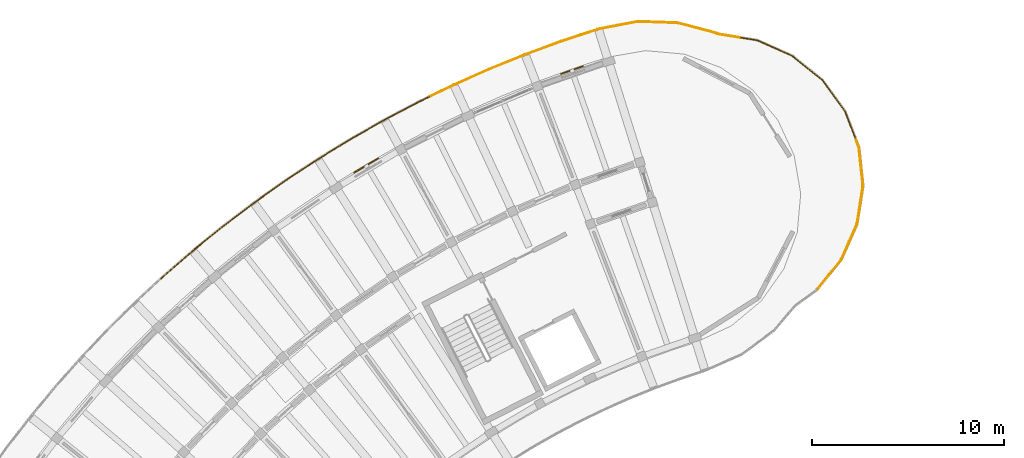
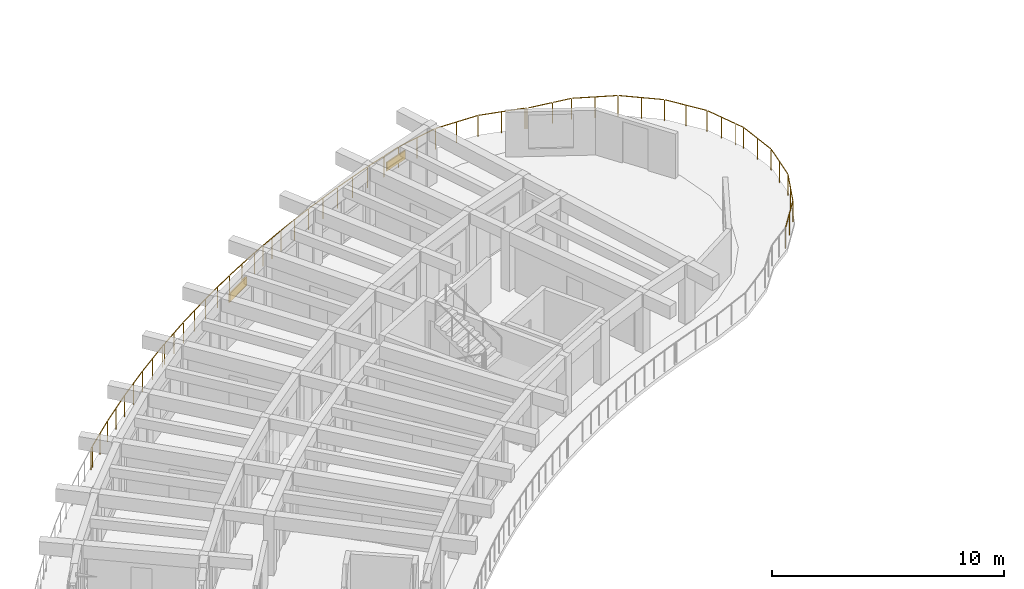
# One storey, part 18 of 19: 6 railings, 2 shading devices.
"""IFC4 building model written with IfcOpenShell, lengths in metres."""

from ifc_helpers import new_model, si_unit, direction, frame, origin, origin_2d, place, context, subcontext, project, spatial, rectangle, circle, extrude, material, layer, layer_set, type_object, element, save


model = new_model("IFC4")

# Units and contexts
model_context = context("Model", 3, precision=1e-05, world=origin(), true_north=direction((0.0, 1.0)))
body_context = subcontext(model_context, "Body", "Model", "MODEL_VIEW")
ifc_project = project(units=[si_unit("LENGTHUNIT", "METRE"), si_unit("AREAUNIT", "SQUARE_METRE"), si_unit("VOLUMEUNIT", "CUBIC_METRE"), si_unit("PLANEANGLEUNIT", "RADIAN"), si_unit("MASSUNIT", "GRAM", prefix="KILO")], contexts=[model_context])

# Site, building, storey
site_placement = place(None, origin())
site = spatial("IfcSite", under=ifc_project, at=site_placement, CompositionType="ELEMENT")
building_placement = place(site_placement, origin())
building = spatial("IfcBuilding", under=site, at=building_placement, Name="Tanwirah Colonnade Gardens", CompositionType="ELEMENT")
storey_placement = place(building_placement, frame((0.0, 0.0, 45.800048828125)))
storey = spatial("IfcBuildingStorey", under=building, at=storey_placement, Name="L13", CompositionType="ELEMENT", Elevation=45.800048828125)

# Railings
ifc_material_1 = material(Name="Precast concrete C40/50", Category="concrete")
railing_type = type_object("IfcRailingType", Name="BAL-EXT112", PredefinedType="BALUSTRADE", material=ifc_material_1)
railing_1_placement = place(storey_placement, frame((23.922607421875, 105.724365234375, 0.0)))
element("IfcRailing", 1, at=railing_1_placement, inside=storey, type_object=railing_type, Name="Block A L13 Balcony Ribbon Balustrade 12", PredefinedType="BALUSTRADE", context=body_context, shape_type="SweptSolid", body=[
    extrude(circle(Radius=0.02392578125, at=origin_2d()), frame((0.02294921875, 0.021240234375, 1.09619140625), z_axis=(0.733834307632, 0.67932849855, 0.0), x_axis=(-0.67932849855, 0.733834307632, 0.0)), (0.0, 0.0, 1.0), 0.12109375),
    extrude(circle(Radius=0.02392578125, at=origin_2d()), frame((0.158447265625, 0.145263671875, 1.09619140625), z_axis=(0.755338292497, 0.655335077565, 0.0), x_axis=(-0.655335077565, 0.755338292497, 0.0)), (0.0, 0.0, 1.0), 1.958984375),
    extrude(circle(Radius=0.02392578125, at=origin_2d()), frame((1.685791015625, 1.46923828125, 1.09619140625), z_axis=(0.776549722569, 0.630055972417, 0.0), x_axis=(-0.630055972417, 0.776549722569, 0.0)), (0.0, 0.0, 1.0), 1.958984375),
    extrude(circle(Radius=0.02392578125, at=origin_2d()), frame((3.25634765625, 2.741943359375, 1.09619140625), z_axis=(0.796887753746, 0.604127393792, 0.0), x_axis=(-0.604127393792, 0.796887753746, 0.0)), (0.0, 0.0, 1.0), 1.958984375),
    extrude(circle(Radius=0.02392578125, at=origin_2d()), frame((4.867919921875, 3.96240234375, 1.09619140625), z_axis=(0.816344803849, 0.577564854565, 0.0), x_axis=(-0.577564854565, 0.816344803849, 0.0)), (0.0, 0.0, 1.0), 1.958740234375),
    extrude(circle(Radius=0.02392578125, at=origin_2d()), frame((6.5185546875, 5.12890625, 1.09619140625), z_axis=(0.834969255805, 0.550296594447, 0.0), x_axis=(-0.550296594447, 0.834969255805, 0.0)), (0.0, 0.0, 1.0), 0.168212890625),
    extrude(circle(Radius=0.02099609375, at=origin_2d()), origin(), (0.0, 0.0, 1.0), 1.069091796875),
    extrude(circle(Radius=0.02099609375, at=origin_2d()), frame((0.134765625, 0.124755859375, 0.0)), (0.0, 0.0, 1.0), 1.069091796875),
    extrude(circle(Radius=0.02099609375, at=origin_2d()), frame((0.898193359375, 0.787109375, 0.0)), (0.0, 0.0, 1.0), 1.069091796875),
    extrude(circle(Radius=0.02099609375, at=origin_2d()), frame((1.66162109375, 1.449462890625, 0.0)), (0.0, 0.0, 1.0), 1.069091796875),
    extrude(circle(Radius=0.02099609375, at=origin_2d()), frame((2.446533203125, 2.08642578125, 0.0)), (0.0, 0.0, 1.0), 1.069091796875),
    extrude(circle(Radius=0.02099609375, at=origin_2d()), frame((3.2314453125, 2.72314453125, 0.0)), (0.0, 0.0, 1.0), 1.069091796875),
    extrude(circle(Radius=0.02099609375, at=origin_2d()), frame((4.036865234375, 3.333740234375, 0.0)), (0.0, 0.0, 1.0), 1.069091796875),
    extrude(circle(Radius=0.02099609375, at=origin_2d()), frame((4.84228515625, 3.9443359375, 0.0)), (0.0, 0.0, 1.0), 1.069091796875),
    extrude(circle(Radius=0.02099609375, at=origin_2d()), frame((5.66748046875, 4.528076171875, 0.0)), (0.0, 0.0, 1.0), 1.069091796875),
    extrude(circle(Radius=0.02099609375, at=origin_2d()), frame((6.492431640625, 5.11181640625, 0.0)), (0.0, 0.0, 1.0), 1.069091796875),
    extrude(circle(Radius=0.02099609375, at=origin_2d()), frame((6.68505859375, 5.23876953125, 0.0)), (0.0, 0.0, 1.0), 1.069091796875),
])
railing_2_placement = place(storey_placement, frame((30.607666015625, 110.963134765625, 0.0)))
element("IfcRailing", 2, at=railing_2_placement, inside=storey, type_object=railing_type, Name="Block A L13 Balcony Ribbon Balustrade 13", PredefinedType="BALUSTRADE", context=body_context, shape_type="SweptSolid", body=[
    extrude(circle(Radius=0.02392578125, at=origin_2d()), frame((0.026123046875, 0.01708984375, 1.09619140625), z_axis=(0.834953933885, 0.550319841811, 0.0), x_axis=(-0.550319841811, 0.834953933885, 0.0)), (0.0, 0.0, 1.0), 1.728515625),
    extrude(circle(Radius=0.02392578125, at=origin_2d()), frame((1.52197265625, 1.001953125, 1.09619140625), z_axis=(0.852660263329, 0.522465764754, 0.0), x_axis=(-0.522465764754, 0.852660263329, 0.0)), (0.0, 0.0, 1.0), 1.958984375),
    extrude(circle(Radius=0.02392578125, at=origin_2d()), frame((3.24609375, 2.05712890625, 1.09619140625), z_axis=(0.869392881113, 0.494121461049, 0.0), x_axis=(-0.494121461049, 0.869392881113, 0.0)), (0.0, 0.0, 1.0), 1.958740234375),
    extrude(circle(Radius=0.02392578125, at=origin_2d()), frame((5.00390625, 3.05517578125, 1.09619140625), z_axis=(0.885211446817, 0.465188880374, 0.0), x_axis=(-0.465188880374, 0.885211446817, 0.0)), (0.0, 0.0, 1.0), 1.958984375),
    extrude(circle(Radius=0.02392578125, at=origin_2d()), frame((6.7939453125, 3.99462890625, 1.09619140625), z_axis=(0.899962747664, 0.435966802425, 0.0), x_axis=(-0.435966802425, 0.899962747664, 0.0)), (0.0, 0.0, 1.0), 0.58203125),
    extrude(circle(Radius=0.02099609375, at=origin_2d()), origin(), (0.0, 0.0, 1.0), 1.069091796875),
    extrude(circle(Radius=0.02099609375, at=origin_2d()), frame((0.74755859375, 0.49267578125, 0.0)), (0.0, 0.0, 1.0), 1.069091796875),
    extrude(circle(Radius=0.02099609375, at=origin_2d()), frame((1.495361328125, 0.985595703125, 0.0)), (0.0, 0.0, 1.0), 1.069091796875),
    extrude(circle(Radius=0.02099609375, at=origin_2d()), frame((2.357177734375, 1.513671875, 0.0)), (0.0, 0.0, 1.0), 1.069091796875),
    extrude(circle(Radius=0.02099609375, at=origin_2d()), frame((3.218994140625, 2.041748046875, 0.0)), (0.0, 0.0, 1.0), 1.069091796875),
    extrude(circle(Radius=0.02099609375, at=origin_2d()), frame((4.09765625, 2.541015625, 0.0)), (0.0, 0.0, 1.0), 1.069091796875),
    extrude(circle(Radius=0.02099609375, at=origin_2d()), frame((4.976318359375, 3.04052734375, 0.0)), (0.0, 0.0, 1.0), 1.069091796875),
    extrude(circle(Radius=0.02099609375, at=origin_2d()), frame((5.87109375, 3.5107421875, 0.0)), (0.0, 0.0, 1.0), 1.069091796875),
    extrude(circle(Radius=0.02099609375, at=origin_2d()), frame((6.765869140625, 3.98095703125, 0.0)), (0.0, 0.0, 1.0), 1.069091796875),
    extrude(circle(Radius=0.02099609375, at=origin_2d()), frame((7.345947265625, 4.261962890625, 0.0)), (0.0, 0.0, 1.0), 1.069091796875),
])
railing_3_placement = place(storey_placement, frame((37.95361328125, 115.22509765625, 0.0)))
element("IfcRailing", 3, at=railing_3_placement, inside=storey, type_object=railing_type, Name="Block A L13 Balcony Ribbon Balustrade 14", PredefinedType="BALUSTRADE", context=body_context, shape_type="SweptSolid", body=[
    extrude(circle(Radius=0.02392578125, at=origin_2d()), frame((0.028076171875, 0.013671875, 1.09619140625), z_axis=(0.900098689272, 0.43568606768, 0.0), x_axis=(-0.43568606768, 0.900098689272, 0.0)), (0.0, 0.0, 1.0), 1.314208984375),
    extrude(circle(Radius=0.02392578125, at=origin_2d()), frame((1.267822265625, 0.612548828125, 1.09619140625), z_axis=(0.913950953394, 0.405824660156, 0.0), x_axis=(-0.405824660156, 0.913950953394, 0.0)), (0.0, 0.0, 1.0), 1.958740234375),
    extrude(circle(Radius=0.02392578125, at=origin_2d()), frame((3.11572265625, 1.431884765625, 1.09619140625), z_axis=(0.926784720453, 0.375592973757, 0.0), x_axis=(-0.375592973757, 0.926784720453, 0.0)), (0.0, 0.0, 1.0), 1.958984375),
    extrude(circle(Radius=0.02392578125, at=origin_2d()), frame((4.989501953125, 2.190185546875, 1.09619140625), z_axis=(0.938723993457, 0.344669789956, 0.0), x_axis=(-0.344669789956, 0.938723993457, 0.0)), (0.0, 0.0, 1.0), 1.958984375),
    extrude(circle(Radius=0.02392578125, at=origin_2d()), frame((6.8876953125, 2.885986328125, 1.09619140625), z_axis=(0.94955588548, 0.313597864073, 0.0), x_axis=(-0.313597864073, 0.94955588548, 0.0)), (0.0, 0.0, 1.0), 0.996337890625),
    extrude(circle(Radius=0.02099609375, at=origin_2d()), origin(), (0.0, 0.0, 1.0), 1.069091796875),
    extrude(circle(Radius=0.02099609375, at=origin_2d()), frame((0.61962890625, 0.2998046875, 0.0)), (0.0, 0.0, 1.0), 1.069091796875),
    extrude(circle(Radius=0.02099609375, at=origin_2d()), frame((1.2392578125, 0.599853515625, 0.0)), (0.0, 0.0, 1.0), 1.069091796875),
    extrude(circle(Radius=0.02099609375, at=origin_2d()), frame((2.1630859375, 1.010009765625, 0.0)), (0.0, 0.0, 1.0), 1.069091796875),
    extrude(circle(Radius=0.02099609375, at=origin_2d()), frame((3.086669921875, 1.420166015625, 0.0)), (0.0, 0.0, 1.0), 1.069091796875),
    extrude(circle(Radius=0.02099609375, at=origin_2d()), frame((4.0234375, 1.7998046875, 0.0)), (0.0, 0.0, 1.0), 1.069091796875),
    extrude(circle(Radius=0.02099609375, at=origin_2d()), frame((4.960205078125, 2.179443359375, 0.0)), (0.0, 0.0, 1.0), 1.069091796875),
    extrude(circle(Radius=0.02099609375, at=origin_2d()), frame((5.9091796875, 2.52783203125, 0.0)), (0.0, 0.0, 1.0), 1.069091796875),
    extrude(circle(Radius=0.02099609375, at=origin_2d()), frame((6.85791015625, 2.876220703125, 0.0)), (0.0, 0.0, 1.0), 1.069091796875),
    extrude(circle(Radius=0.02099609375, at=origin_2d()), frame((7.86328125, 3.208251953125, 0.0)), (0.0, 0.0, 1.0), 1.069091796875),
])
railing_4_placement = place(storey_placement, frame((45.81689453125, 118.433349609375, 0.0)))
element("IfcRailing", 4, at=railing_4_placement, inside=storey, type_object=railing_type, Name="Block A L13 Balcony Ribbon Balustrade 15", PredefinedType="BALUSTRADE", context=body_context, shape_type="SweptSolid", body=[
    extrude(circle(Radius=0.02392578125, at=origin_2d()), frame((0.02978515625, 0.009765625, 1.09619140625), z_axis=(0.949520232223, 0.313705799436, 0.0), x_axis=(-0.313705799436, 0.949520232223, 0.0)), (0.0, 0.0, 1.0), 0.896240234375),
    extrude(circle(Radius=0.02392578125, at=origin_2d()), frame((0.941162109375, 0.306640625, 1.09619140625), z_axis=(0.981943925546, 0.18917221541, 0.0), x_axis=(-0.18917221541, 0.981943925546, 0.0)), (0.0, 0.0, 1.0), 2.0283203125),
    extrude(circle(Radius=0.02392578125, at=origin_2d()), frame((2.99462890625, 0.6953125, 1.09619140625), z_axis=(0.99942036121, -0.034043231314, 0.0), x_axis=(0.034043231314, 0.99942036121, 0.0)), (0.0, 0.0, 1.0), 2.0244140625),
    extrude(circle(Radius=0.02392578125, at=origin_2d()), frame((5.079345703125, 0.6171875, 1.09619140625), z_axis=(0.966778387771, -0.255616018548, 0.0), x_axis=(0.255616018548, 0.966778387771, 0.0)), (0.0, 0.0, 1.0), 2.0244140625),
    extrude(circle(Radius=0.02392578125, at=origin_2d()), frame((7.09423828125, 0.077392578125, 1.09619140625), z_axis=(0.886158574219, -0.463382111586, 0.0), x_axis=(0.463382111586, 0.886158574219, 0.0)), (0.0, 0.0, 1.0), 0.039794921875),
    extrude(circle(Radius=0.02392578125, at=origin_2d()), frame((7.212646484375, 0.03125, 1.09619140625), z_axis=(0.987847295055, -0.155427544702, 0.0), x_axis=(0.155427544702, 0.987847295055, 0.0)), (0.0, 0.0, 1.0), 1.085693359375),
    extrude(circle(Radius=0.02099609375, at=origin_2d()), origin(), (0.0, 0.0, 1.0), 1.069091796875),
    extrude(circle(Radius=0.02099609375, at=origin_2d()), frame((0.910400390625, 0.30078125, 0.0)), (0.0, 0.0, 1.0), 1.069091796875),
    extrude(circle(Radius=0.02099609375, at=origin_2d()), frame((1.93701171875, 0.49853515625, 0.0)), (0.0, 0.0, 1.0), 1.069091796875),
    extrude(circle(Radius=0.02099609375, at=origin_2d()), frame((2.96337890625, 0.6962890625, 0.0)), (0.0, 0.0, 1.0), 1.069091796875),
    extrude(circle(Radius=0.02099609375, at=origin_2d()), frame((4.00634765625, 0.66064453125, 0.0)), (0.0, 0.0, 1.0), 1.069091796875),
    extrude(circle(Radius=0.02099609375, at=origin_2d()), frame((5.049072265625, 0.625244140625, 0.0)), (0.0, 0.0, 1.0), 1.069091796875),
    extrude(circle(Radius=0.02099609375, at=origin_2d()), frame((6.057861328125, 0.3583984375, 0.0)), (0.0, 0.0, 1.0), 1.069091796875),
    extrude(circle(Radius=0.02099609375, at=origin_2d()), frame((7.066650390625, 0.091796875, 0.0)), (0.0, 0.0, 1.0), 1.069091796875),
    extrude(circle(Radius=0.02099609375, at=origin_2d()), frame((7.1572265625, 0.04443359375, 0.0)), (0.0, 0.0, 1.0), 1.069091796875),
    extrude(circle(Radius=0.02099609375, at=origin_2d()), frame((8.316162109375, -0.142333984375, 0.0)), (0.0, 0.0, 1.0), 1.069091796875),
])
railing_5_placement = place(storey_placement, frame((54.133056640625, 118.291015625, 0.0)))
element("IfcRailing", 5, at=railing_5_placement, inside=storey, type_object=railing_type, Name="Block A L13 Balcony Ribbon Balustrade 16", PredefinedType="BALUSTRADE", context=body_context, shape_type="SweptSolid", body=[
    extrude(circle(Radius=0.02392578125, at=origin_2d()), frame((0.03076171875, -0.0048828125, 1.09619140625), z_axis=(0.987839794357, -0.155475209228, 0.0), x_axis=(0.155475209228, 0.987839794357, 0.0)), (0.0, 0.0, 1.0), 0.81201171875),
    extrude(circle(Radius=0.02392578125, at=origin_2d()), frame((0.892578125, -0.148681640625, 1.09619140625), z_axis=(0.91394139265, -0.405846191063, 0.0), x_axis=(0.405846191063, 0.91394139265, 0.0)), (0.0, 0.0, 1.0), 1.95263671875),
    extrude(circle(Radius=0.02392578125, at=origin_2d()), frame((2.730224609375, -0.973388671875, 1.09619140625), z_axis=(0.777738407714, -0.628588075903, 0.0), x_axis=(0.628588075903, 0.777738407714, 0.0)), (0.0, 0.0, 1.0), 1.952392578125),
    extrude(circle(Radius=0.02392578125, at=origin_2d()), frame((4.291259765625, -2.245849609375, 1.09619140625), z_axis=(0.588560628572, -0.808453082433, 0.0), x_axis=(0.808453082433, 0.588560628572, 0.0)), (0.0, 0.0, 1.0), 1.95263671875),
    extrude(circle(Radius=0.02392578125, at=origin_2d()), frame((5.47021484375, -3.87890625, 1.09619140625), z_axis=(0.359237911133, -0.933246014299, 0.0), x_axis=(0.933246014299, 0.359237911133, 0.0)), (0.0, 0.0, 1.0), 1.517578125),
    extrude(circle(Radius=0.02099609375, at=origin_2d()), origin(), (0.0, 0.0, 1.0), 1.069091796875),
    extrude(circle(Radius=0.02099609375, at=origin_2d()), frame((0.864013671875, -0.135986328125, 0.0)), (0.0, 0.0, 1.0), 1.069091796875),
    extrude(circle(Radius=0.02099609375, at=origin_2d()), frame((1.784912109375, -0.544921875, 0.0)), (0.0, 0.0, 1.0), 1.069091796875),
    extrude(circle(Radius=0.02099609375, at=origin_2d()), frame((2.705810546875, -0.953857421875, 0.0)), (0.0, 0.0, 1.0), 1.069091796875),
    extrude(circle(Radius=0.02099609375, at=origin_2d()), frame((3.4892578125, -1.587158203125, 0.0)), (0.0, 0.0, 1.0), 1.069091796875),
    extrude(circle(Radius=0.02099609375, at=origin_2d()), frame((4.27294921875, -2.220458984375, 0.0)), (0.0, 0.0, 1.0), 1.069091796875),
    extrude(circle(Radius=0.02099609375, at=origin_2d()), frame((4.865966796875, -3.03515625, 0.0)), (0.0, 0.0, 1.0), 1.069091796875),
    extrude(circle(Radius=0.02099609375, at=origin_2d()), frame((5.458984375, -3.849609375, 0.0)), (0.0, 0.0, 1.0), 1.069091796875),
    extrude(circle(Radius=0.02099609375, at=origin_2d()), frame((5.74267578125, -4.5869140625, 0.0)), (0.0, 0.0, 1.0), 1.069091796875),
    extrude(circle(Radius=0.02099609375, at=origin_2d()), frame((6.026611328125, -5.32421875, 0.0)), (0.0, 0.0, 1.0), 1.069091796875),
])
railing_6_placement = place(storey_placement, frame((60.15966796875, 112.966796875, 0.0)))
element("IfcRailing", 6, at=railing_6_placement, inside=storey, type_object=railing_type, Name="Block A L13 Balcony Ribbon Balustrade 17", PredefinedType="BALUSTRADE", context=body_context, shape_type="SweptSolid", body=[
    extrude(circle(Radius=0.02392578125, at=origin_2d()), frame((0.01123046875, -0.029052734375, 1.09619140625), z_axis=(0.35965575808, -0.933085063475, 0.0), x_axis=(0.933085063475, 0.35965575808, 0.0)), (0.0, 0.0, 1.0), 0.37255859375),
    extrude(circle(Radius=0.02392578125, at=origin_2d()), frame((0.15966796875, -0.43701171875, 1.09619140625), z_axis=(0.105403713051, -0.994429513477, 0.0), x_axis=(0.994429513477, 0.105403713051, 0.0)), (0.0, 0.0, 1.0), 1.95263671875),
    extrude(circle(Radius=0.02392578125, at=origin_2d()), frame((0.364013671875, -2.440673828125, 1.09619140625), z_axis=(-0.155433753517, -0.987846318142, 0.0), x_axis=(0.987846318142, -0.155433753517, 0.0)), (0.0, 0.0, 1.0), 1.95263671875),
    extrude(circle(Radius=0.02392578125, at=origin_2d()), frame((0.04296875, -4.42919921875, 1.09619140625), z_axis=(-0.405891131763, -0.913921434893, 0.0), x_axis=(0.913921434893, -0.405891131763, 0.0)), (0.0, 0.0, 1.0), 1.952392578125),
    extrude(circle(Radius=0.02392578125, at=origin_2d()), frame((-0.78173828125, -6.2666015625, 1.09619140625), z_axis=(-0.628528846371, -0.777786274808, 0.0), x_axis=(0.777786274808, -0.628528846371, 0.0)), (0.0, 0.0, 1.0), 1.95263671875),
    extrude(circle(Radius=0.02099609375, at=origin_2d()), origin(), (0.0, 0.0, 1.0), 1.069091796875),
    extrude(circle(Radius=0.02099609375, at=origin_2d()), frame((0.156494140625, -0.406005859375, 0.0)), (0.0, 0.0, 1.0), 1.069091796875),
    extrude(circle(Radius=0.02099609375, at=origin_2d()), frame((0.2626953125, -1.407958984375, 0.0)), (0.0, 0.0, 1.0), 1.069091796875),
    extrude(circle(Radius=0.02099609375, at=origin_2d()), frame((0.368896484375, -2.409912109375, 0.0)), (0.0, 0.0, 1.0), 1.069091796875),
    extrude(circle(Radius=0.02099609375, at=origin_2d()), frame((0.21240234375, -3.4052734375, 0.0)), (0.0, 0.0, 1.0), 1.069091796875),
    extrude(circle(Radius=0.02099609375, at=origin_2d()), frame((0.0556640625, -4.400634765625, 0.0)), (0.0, 0.0, 1.0), 1.069091796875),
    extrude(circle(Radius=0.02099609375, at=origin_2d()), frame((-0.353271484375, -5.3212890625, 0.0)), (0.0, 0.0, 1.0), 1.069091796875),
    extrude(circle(Radius=0.02099609375, at=origin_2d()), frame((-0.76220703125, -6.2421875, 0.0)), (0.0, 0.0, 1.0), 1.069091796875),
    extrude(circle(Radius=0.02099609375, at=origin_2d()), frame((-1.3955078125, -7.02587890625, 0.0)), (0.0, 0.0, 1.0), 1.069091796875),
    extrude(circle(Radius=0.02099609375, at=origin_2d()), frame((-2.02880859375, -7.8095703125, 0.0)), (0.0, 0.0, 1.0), 1.069091796875),
])

# Shading devices
ifc_material_2 = material(Name="Perforated architectural bronze aluminium", Category="aluminium")
ifc_layer = layer(ifc_material_2, 0.050048828125)
ifc_layer_set = layer_set([ifc_layer], Name="Perforated architectural bronze aluminium")
shading_device_type = type_object("IfcShadingDeviceType", Name="SHD-OVH1", PredefinedType="SHUTTER", material=ifc_layer_set)
shading_device_1_placement = place(storey_placement, frame((45.35302734375, 116.60107421875, 1.919921875), z_axis=(0.0, 0.0, 1.0), x_axis=(-0.944248513297, -0.329233572311, 0.0)))
element("IfcShadingDevice", 7, at=shading_device_1_placement, inside=storey, type_object=shading_device_type, Name="Solar shading louver hood A-L13-03", PredefinedType="SHUTTER", context=body_context, shape_type="SweptSolid", body=[
    extrude(rectangle(XDim=1.239990234375, YDim=0.06005859375, at=origin_2d()), origin(), (0.0, 0.0, 1.0), 0.449951171875),
])
shading_device_2_placement = place(storey_placement, frame((34.622314453125, 111.62255859375, 1.919921875), z_axis=(0.0, 0.0, 1.0), x_axis=(-0.861136175856, -0.50837435678, 0.0)))
element("IfcShadingDevice", 8, at=shading_device_2_placement, inside=storey, type_object=shading_device_type, Name="Solar shading louver hood A-L13-06", PredefinedType="SHUTTER", context=body_context, shape_type="SweptSolid", body=[
    extrude(rectangle(XDim=1.5, YDim=0.06005859375, at=origin_2d()), origin(), (0.0, 0.0, 1.0), 0.449951171875),
])

save(model, "model.ifc")
